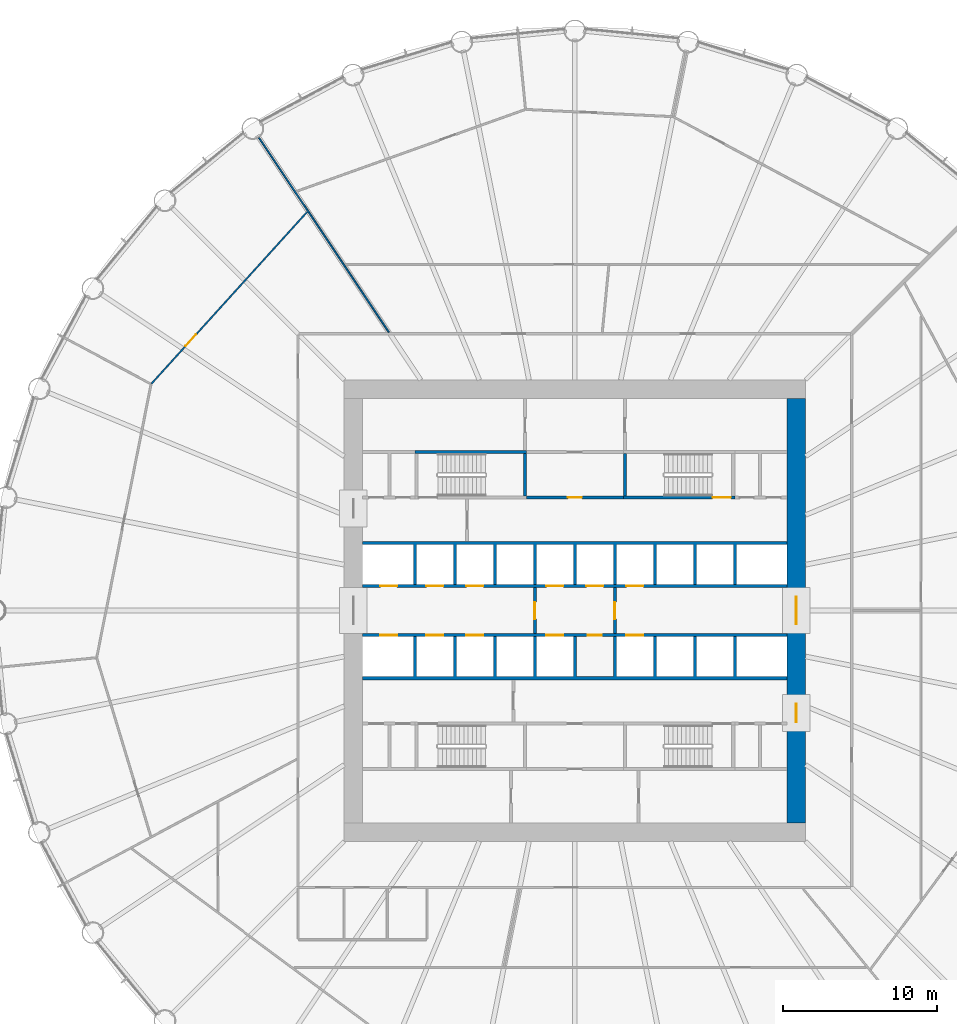
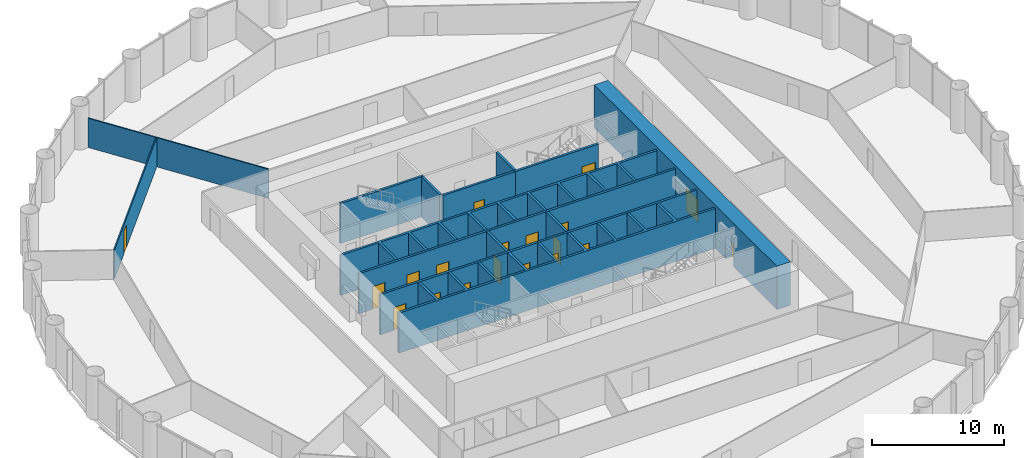
# One storey, part 12 of 15: 19 doors, 14 walls, 19 openings.
"""IFC4 building model written with IfcOpenShell, lengths in metres."""

from ifc_helpers import new_model, si_unit, direction, frame, frame_2d, origin, place, context, subcontext, project, spatial, polyline, rectangle, outline, extrude, material, layer, layer_set, type_object, element, fill, save


model = new_model("IFC4")

# Units and contexts
model_context = context("Model", 3, precision=1e-05, world=origin(), true_north=direction((0.0, 1.0)))
body_context = subcontext(model_context, "Body", "Model", "MODEL_VIEW")
ifc_project = project(units=[si_unit("LENGTHUNIT", "METRE"), si_unit("AREAUNIT", "SQUARE_METRE"), si_unit("VOLUMEUNIT", "CUBIC_METRE"), si_unit("PLANEANGLEUNIT", "RADIAN"), si_unit("MASSUNIT", "GRAM", prefix="KILO")], contexts=[model_context])

# Site, building, storey
site_placement = place(None, origin())
site = spatial("IfcSite", under=ifc_project, at=site_placement, CompositionType="ELEMENT")
building_placement = place(site_placement, origin())
building = spatial("IfcBuilding", under=site, at=building_placement, Name="Corvane Civic Tower", CompositionType="ELEMENT")
storey_placement = place(building_placement, frame((0.0, 0.0, 45.0)))
storey = spatial("IfcBuildingStorey", under=building, at=storey_placement, Name="L09", CompositionType="ELEMENT", Elevation=45.0)

# Wall, openings, doors
ifc_material_1 = material(Name="Concrete C80/95", Category="concrete")
ifc_layer_1 = layer(ifc_material_1, 1.199951171875)
ifc_layer_set_1 = layer_set([ifc_layer_1], Name="Concrete C80/95")
wall_type_1 = type_object("IfcWallType", Name="CORE WALL 1200 C80/95", PredefinedType="SHEAR", material=ifc_layer_set_1)
wall_1_placement = place(storey_placement, frame((14.39990234375, -13.800048828125, 0.0), z_axis=(0.0, 0.0, 1.0), x_axis=(0.0, 1.0, 0.0)))
wall_1 = element("IfcWall", 1, at=wall_1_placement, inside=storey, type_object=wall_type_1, Name="W-L09-core-E", PredefinedType="SHEAR", context=body_context, shape_type="SweptSolid", body=[
    extrude(rectangle(XDim=27.60009765625, YDim=1.199951171875, at=frame_2d((13.800048828125, 0.0))), origin(), (0.0, 0.0, 1.0), 4.0),
])
opening_1_placement = place(wall_1_placement, frame((12.89990234375, 0.0, 0.0)))
opening_1 = element("IfcOpeningElement", 2, at=opening_1_placement, cuts=wall_1, Name="Opening L09.C27", PredefinedType="OPENING", context=body_context, shape_type="SweptSolid", body=[
    extrude(rectangle(XDim=1.800048828125, YDim=2.10009765625, at=frame_2d((0.89990234375, 1.050048828125))), frame((0.0, 0.60986328125, 0.0), z_axis=(0.0, -1.0, 0.0), x_axis=(1.0, 0.0, 0.0)), (0.0, 0.0, 1.0), 1.219970703125),
])
opening_2_placement = place(wall_1_placement, frame((6.550048828125, 0.0, 0.0)))
opening_2 = element("IfcOpeningElement", 3, at=opening_2_placement, cuts=wall_1, Name="Opening L09.C29", PredefinedType="OPENING", context=body_context, shape_type="SweptSolid", body=[
    extrude(rectangle(XDim=1.199951171875, YDim=2.10009765625, at=frame_2d((0.60009765625, 1.050048828125))), frame((0.0, 0.60986328125, 0.0), z_axis=(0.0, -1.0, 0.0), x_axis=(1.0, 0.0, 0.0)), (0.0, 0.0, 1.0), 1.219970703125),
])
ifc_material_2 = material(Name="Steel fire door leaf", Category="steel")
door_type_1 = type_object("IfcDoorType", Name="CR-DOOR-CORE-1800", OperationType="DOUBLE_DOOR_SINGLE_SWING", PredefinedType="DOOR", material=ifc_material_2)
door_1_placement = place(opening_1_placement, origin())
door_1 = element("IfcDoor", 4, at=door_1_placement, inside=storey, type_object=door_type_1, Name="L09 door", OperationType="DOUBLE_DOOR_SINGLE_SWING", OverallHeight=2.10009765625, OverallWidth=1.800048828125, PredefinedType="DOOR", context=body_context, shape_type="SweptSolid", body=[
    extrude(rectangle(XDim=1.800048828125, YDim=2.10009765625, at=frame_2d((0.89990234375, 1.050048828125))), frame((0.0, 0.02490234375, 0.0), z_axis=(0.0, -1.0, 0.0), x_axis=(1.0, 0.0, 0.0)), (0.0, 0.0, 1.0), 0.050048828125),
])
fill(opening_1, door_1)
door_2_placement = place(opening_2_placement, origin())
door_2 = element("IfcDoor", 5, at=door_2_placement, inside=storey, type_object=door_type_1, Name="L09 door", OperationType="DOUBLE_DOOR_SINGLE_SWING", OverallHeight=2.10009765625, OverallWidth=1.199951171875, PredefinedType="DOOR", context=body_context, shape_type="SweptSolid", body=[
    extrude(rectangle(XDim=1.199951171875, YDim=2.10009765625, at=frame_2d((0.60009765625, 1.050048828125))), frame((0.0, 0.02490234375, 0.0), z_axis=(0.0, -1.0, 0.0), x_axis=(1.0, 0.0, 0.0)), (0.0, 0.0, 1.0), 0.050048828125),
])
fill(opening_2, door_2)

ifc_material_3 = material(Name="Concrete C30/37", Category="concrete")
ifc_layer_2 = layer(ifc_material_3, 0.199951171875)
ifc_layer_set_2 = layer_set([ifc_layer_2], Name="Concrete C30/37")
wall_type_2 = type_object("IfcWallType", Name="CR-WALL-200", PredefinedType="PARTITIONING", material=ifc_layer_set_2)
wall_2_placement = place(storey_placement, frame((-13.800048828125, -1.60009765625, 0.0), z_axis=(0.0, 0.0, 1.0), x_axis=(1.0, 0.0, 0.0)))
wall_2 = element("IfcWall", 6, at=wall_2_placement, inside=storey, type_object=wall_type_2, Name="L09 lift shaft wall", PredefinedType="PARTITIONING", context=body_context, shape_type="SweptSolid", body=[
    extrude(rectangle(XDim=27.60009765625, YDim=0.199951171875, at=frame_2d((13.800048828125, 0.0))), origin(), (0.0, 0.0, 1.0), 3.699951171875),
])
opening_3_placement = place(wall_2_placement, frame((1.14990234375, 0.0, 0.0)))
opening_3 = element("IfcOpeningElement", 7, at=opening_3_placement, cuts=wall_2, Name="Opening LD", PredefinedType="OPENING", context=body_context, shape_type="SweptSolid", body=[
    extrude(rectangle(XDim=1.10009765625, YDim=2.10009765625, at=frame_2d((0.550048828125, 1.050048828125))), frame((0.0, 0.10986328125, 0.0), z_axis=(0.0, -1.0, 0.0), x_axis=(1.0, 0.0, 0.0)), (0.0, 0.0, 1.0), 0.219970703125),
])
opening_4_placement = place(wall_2_placement, frame((4.14990234375, 0.0, 0.0)))
opening_4 = element("IfcOpeningElement", 8, at=opening_4_placement, cuts=wall_2, Name="Opening LD", PredefinedType="OPENING", context=body_context, shape_type="SweptSolid", body=[
    extrude(rectangle(XDim=1.10009765625, YDim=2.10009765625, at=frame_2d((0.550048828125, 1.050048828125))), frame((0.0, 0.10986328125, 0.0), z_axis=(0.0, -1.0, 0.0), x_axis=(1.0, 0.0, 0.0)), (0.0, 0.0, 1.0), 0.219970703125),
])
opening_5_placement = place(wall_2_placement, frame((6.75, 0.0, 0.0)))
opening_5 = element("IfcOpeningElement", 9, at=opening_5_placement, cuts=wall_2, Name="Opening LD", PredefinedType="OPENING", context=body_context, shape_type="SweptSolid", body=[
    extrude(rectangle(XDim=1.10009765625, YDim=2.10009765625, at=frame_2d((0.550048828125, 1.050048828125))), frame((0.0, 0.10986328125, 0.0), z_axis=(0.0, -1.0, 0.0), x_axis=(1.0, 0.0, 0.0)), (0.0, 0.0, 1.0), 0.219970703125),
])
opening_6_placement = place(wall_2_placement, frame((11.949951171875, 0.0, 0.0)))
opening_6 = element("IfcOpeningElement", 10, at=opening_6_placement, cuts=wall_2, Name="Opening LD", PredefinedType="OPENING", context=body_context, shape_type="SweptSolid", body=[
    extrude(rectangle(XDim=1.10009765625, YDim=2.10009765625, at=frame_2d((0.550048828125, 1.050048828125))), frame((0.0, 0.10986328125, 0.0), z_axis=(0.0, -1.0, 0.0), x_axis=(1.0, 0.0, 0.0)), (0.0, 0.0, 1.0), 0.219970703125),
])
opening_7_placement = place(wall_2_placement, frame((14.64990234375, 0.0, 0.0)))
opening_7 = element("IfcOpeningElement", 11, at=opening_7_placement, cuts=wall_2, Name="Opening L09.C01", PredefinedType="OPENING", context=body_context, shape_type="SweptSolid", body=[
    extrude(rectangle(XDim=0.89990234375, YDim=2.10009765625, at=frame_2d((0.449951171875, 1.050048828125))), frame((0.0, 0.10986328125, 0.0), z_axis=(0.0, -1.0, 0.0), x_axis=(1.0, 0.0, 0.0)), (0.0, 0.0, 1.0), 0.219970703125),
])
opening_8_placement = place(wall_2_placement, frame((17.14990234375, 0.0, 0.0)))
opening_8 = element("IfcOpeningElement", 12, at=opening_8_placement, cuts=wall_2, Name="Opening LD", PredefinedType="OPENING", context=body_context, shape_type="SweptSolid", body=[
    extrude(rectangle(XDim=1.10009765625, YDim=2.10009765625, at=frame_2d((0.550048828125, 1.050048828125))), frame((0.0, 0.10986328125, 0.0), z_axis=(0.0, -1.0, 0.0), x_axis=(1.0, 0.0, 0.0)), (0.0, 0.0, 1.0), 0.219970703125),
])
ifc_material_4 = material(Name="Steel fire door leaf", Category="steel")
door_type_2 = type_object("IfcDoorType", Name="CR-DOOR-900", OperationType="SINGLE_SWING_LEFT", PredefinedType="DOOR", material=ifc_material_4)
door_3_placement = place(opening_7_placement, origin())
door_3 = element("IfcDoor", 13, at=door_3_placement, inside=storey, type_object=door_type_2, Name="L09 door", OperationType="SINGLE_SWING_LEFT", OverallHeight=2.10009765625, OverallWidth=0.89990234375, PredefinedType="DOOR", context=body_context, shape_type="SweptSolid", body=[
    extrude(rectangle(XDim=0.89990234375, YDim=2.10009765625, at=frame_2d((0.449951171875, 1.050048828125))), frame((0.0, 0.02490234375, 0.0), z_axis=(0.0, -1.0, 0.0), x_axis=(1.0, 0.0, 0.0)), (0.0, 0.0, 1.0), 0.050048828125),
])
fill(opening_7, door_3)
ifc_material_5 = material(Name="Stainless steel 316 door leaves", Category="steel")
door_type_3 = type_object("IfcDoorType", Name="LD", OperationType="DOUBLE_DOOR_SLIDING", PredefinedType="DOOR", material=ifc_material_5)
door_4_placement = place(opening_3_placement, origin())
door_4 = element("IfcDoor", 14, at=door_4_placement, inside=storey, type_object=door_type_3, Name="L09 landing door", OperationType="DOUBLE_DOOR_SLIDING", OverallHeight=2.10009765625, OverallWidth=1.10009765625, PredefinedType="DOOR", context=body_context, shape_type="SweptSolid", body=[
    extrude(rectangle(XDim=1.10009765625, YDim=2.10009765625, at=frame_2d((0.550048828125, 1.050048828125))), frame((0.0, 0.02490234375, 0.0), z_axis=(0.0, -1.0, 0.0), x_axis=(1.0, 0.0, 0.0)), (0.0, 0.0, 1.0), 0.050048828125),
])
fill(opening_3, door_4)
door_5_placement = place(opening_4_placement, origin())
door_5 = element("IfcDoor", 15, at=door_5_placement, inside=storey, type_object=door_type_3, Name="L09 landing door", OperationType="DOUBLE_DOOR_SLIDING", OverallHeight=2.10009765625, OverallWidth=1.10009765625, PredefinedType="DOOR", context=body_context, shape_type="SweptSolid", body=[
    extrude(rectangle(XDim=1.10009765625, YDim=2.10009765625, at=frame_2d((0.550048828125, 1.050048828125))), frame((0.0, 0.02490234375, 0.0), z_axis=(0.0, -1.0, 0.0), x_axis=(1.0, 0.0, 0.0)), (0.0, 0.0, 1.0), 0.050048828125),
])
fill(opening_4, door_5)
door_6_placement = place(opening_5_placement, origin())
door_6 = element("IfcDoor", 16, at=door_6_placement, inside=storey, type_object=door_type_3, Name="L09 landing door", OperationType="DOUBLE_DOOR_SLIDING", OverallHeight=2.10009765625, OverallWidth=1.10009765625, PredefinedType="DOOR", context=body_context, shape_type="SweptSolid", body=[
    extrude(rectangle(XDim=1.10009765625, YDim=2.10009765625, at=frame_2d((0.550048828125, 1.050048828125))), frame((0.0, 0.02490234375, 0.0), z_axis=(0.0, -1.0, 0.0), x_axis=(1.0, 0.0, 0.0)), (0.0, 0.0, 1.0), 0.050048828125),
])
fill(opening_5, door_6)
door_7_placement = place(opening_6_placement, origin())
door_7 = element("IfcDoor", 17, at=door_7_placement, inside=storey, type_object=door_type_3, Name="L09 landing door", OperationType="DOUBLE_DOOR_SLIDING", OverallHeight=2.10009765625, OverallWidth=1.10009765625, PredefinedType="DOOR", context=body_context, shape_type="SweptSolid", body=[
    extrude(rectangle(XDim=1.10009765625, YDim=2.10009765625, at=frame_2d((0.550048828125, 1.050048828125))), frame((0.0, 0.02490234375, 0.0), z_axis=(0.0, -1.0, 0.0), x_axis=(1.0, 0.0, 0.0)), (0.0, 0.0, 1.0), 0.050048828125),
])
fill(opening_6, door_7)
door_8_placement = place(opening_8_placement, origin())
door_8 = element("IfcDoor", 18, at=door_8_placement, inside=storey, type_object=door_type_3, Name="L09 landing door", OperationType="DOUBLE_DOOR_SLIDING", OverallHeight=2.10009765625, OverallWidth=1.10009765625, PredefinedType="DOOR", context=body_context, shape_type="SweptSolid", body=[
    extrude(rectangle(XDim=1.10009765625, YDim=2.10009765625, at=frame_2d((0.550048828125, 1.050048828125))), frame((0.0, 0.02490234375, 0.0), z_axis=(0.0, -1.0, 0.0), x_axis=(1.0, 0.0, 0.0)), (0.0, 0.0, 1.0), 0.050048828125),
])
fill(opening_8, door_8)

wall_3_placement = place(storey_placement, frame((-13.800048828125, 1.60009765625, 0.0), z_axis=(0.0, 0.0, 1.0), x_axis=(1.0, 0.0, 0.0)))
wall_3 = element("IfcWall", 19, at=wall_3_placement, inside=storey, type_object=wall_type_2, Name="L09 lift shaft wall", PredefinedType="PARTITIONING", context=body_context, shape_type="SweptSolid", body=[
    extrude(rectangle(XDim=27.60009765625, YDim=0.199951171875, at=frame_2d((13.800048828125, 0.0))), origin(), (0.0, 0.0, 1.0), 3.699951171875),
])
opening_9_placement = place(wall_3_placement, frame((1.14990234375, 0.0, 0.0)))
opening_9 = element("IfcOpeningElement", 20, at=opening_9_placement, cuts=wall_3, Name="Opening LD", PredefinedType="OPENING", context=body_context, shape_type="SweptSolid", body=[
    extrude(rectangle(XDim=1.10009765625, YDim=2.10009765625, at=frame_2d((0.550048828125, 1.050048828125))), frame((0.0, 0.10986328125, 0.0), z_axis=(0.0, -1.0, 0.0), x_axis=(1.0, 0.0, 0.0)), (0.0, 0.0, 1.0), 0.219970703125),
])
opening_10_placement = place(wall_3_placement, frame((4.14990234375, 0.0, 0.0)))
opening_10 = element("IfcOpeningElement", 21, at=opening_10_placement, cuts=wall_3, Name="Opening LD", PredefinedType="OPENING", context=body_context, shape_type="SweptSolid", body=[
    extrude(rectangle(XDim=1.10009765625, YDim=2.10009765625, at=frame_2d((0.550048828125, 1.050048828125))), frame((0.0, 0.10986328125, 0.0), z_axis=(0.0, -1.0, 0.0), x_axis=(1.0, 0.0, 0.0)), (0.0, 0.0, 1.0), 0.219970703125),
])
opening_11_placement = place(wall_3_placement, frame((6.75, 0.0, 0.0)))
opening_11 = element("IfcOpeningElement", 22, at=opening_11_placement, cuts=wall_3, Name="Opening LD", PredefinedType="OPENING", context=body_context, shape_type="SweptSolid", body=[
    extrude(rectangle(XDim=1.10009765625, YDim=2.10009765625, at=frame_2d((0.550048828125, 1.050048828125))), frame((0.0, 0.10986328125, 0.0), z_axis=(0.0, -1.0, 0.0), x_axis=(1.0, 0.0, 0.0)), (0.0, 0.0, 1.0), 0.219970703125),
])
opening_12_placement = place(wall_3_placement, frame((11.949951171875, 0.0, 0.0)))
opening_12 = element("IfcOpeningElement", 23, at=opening_12_placement, cuts=wall_3, Name="Opening LD", PredefinedType="OPENING", context=body_context, shape_type="SweptSolid", body=[
    extrude(rectangle(XDim=1.10009765625, YDim=2.10009765625, at=frame_2d((0.550048828125, 1.050048828125))), frame((0.0, 0.10986328125, 0.0), z_axis=(0.0, -1.0, 0.0), x_axis=(1.0, 0.0, 0.0)), (0.0, 0.0, 1.0), 0.219970703125),
])
opening_13_placement = place(wall_3_placement, frame((14.550048828125, 0.0, 0.0)))
opening_13 = element("IfcOpeningElement", 24, at=opening_13_placement, cuts=wall_3, Name="Opening LD", PredefinedType="OPENING", context=body_context, shape_type="SweptSolid", body=[
    extrude(rectangle(XDim=1.10009765625, YDim=2.10009765625, at=frame_2d((0.550048828125, 1.050048828125))), frame((0.0, 0.10986328125, 0.0), z_axis=(0.0, -1.0, 0.0), x_axis=(1.0, 0.0, 0.0)), (0.0, 0.0, 1.0), 0.219970703125),
])
opening_14_placement = place(wall_3_placement, frame((17.14990234375, 0.0, 0.0)))
opening_14 = element("IfcOpeningElement", 25, at=opening_14_placement, cuts=wall_3, Name="Opening LD", PredefinedType="OPENING", context=body_context, shape_type="SweptSolid", body=[
    extrude(rectangle(XDim=1.10009765625, YDim=2.10009765625, at=frame_2d((0.550048828125, 1.050048828125))), frame((0.0, 0.10986328125, 0.0), z_axis=(0.0, -1.0, 0.0), x_axis=(1.0, 0.0, 0.0)), (0.0, 0.0, 1.0), 0.219970703125),
])
door_9_placement = place(opening_9_placement, origin())
door_9 = element("IfcDoor", 26, at=door_9_placement, inside=storey, type_object=door_type_3, Name="L09 landing door", OperationType="DOUBLE_DOOR_SLIDING", OverallHeight=2.10009765625, OverallWidth=1.10009765625, PredefinedType="DOOR", context=body_context, shape_type="SweptSolid", body=[
    extrude(rectangle(XDim=1.10009765625, YDim=2.10009765625, at=frame_2d((0.550048828125, 1.050048828125))), frame((0.0, 0.02490234375, 0.0), z_axis=(0.0, -1.0, 0.0), x_axis=(1.0, 0.0, 0.0)), (0.0, 0.0, 1.0), 0.050048828125),
])
fill(opening_9, door_9)
door_10_placement = place(opening_10_placement, origin())
door_10 = element("IfcDoor", 27, at=door_10_placement, inside=storey, type_object=door_type_3, Name="L09 landing door", OperationType="DOUBLE_DOOR_SLIDING", OverallHeight=2.10009765625, OverallWidth=1.10009765625, PredefinedType="DOOR", context=body_context, shape_type="SweptSolid", body=[
    extrude(rectangle(XDim=1.10009765625, YDim=2.10009765625, at=frame_2d((0.550048828125, 1.050048828125))), frame((0.0, 0.02490234375, 0.0), z_axis=(0.0, -1.0, 0.0), x_axis=(1.0, 0.0, 0.0)), (0.0, 0.0, 1.0), 0.050048828125),
])
fill(opening_10, door_10)
door_11_placement = place(opening_11_placement, origin())
door_11 = element("IfcDoor", 28, at=door_11_placement, inside=storey, type_object=door_type_3, Name="L09 landing door", OperationType="DOUBLE_DOOR_SLIDING", OverallHeight=2.10009765625, OverallWidth=1.10009765625, PredefinedType="DOOR", context=body_context, shape_type="SweptSolid", body=[
    extrude(rectangle(XDim=1.10009765625, YDim=2.10009765625, at=frame_2d((0.550048828125, 1.050048828125))), frame((0.0, 0.02490234375, 0.0), z_axis=(0.0, -1.0, 0.0), x_axis=(1.0, 0.0, 0.0)), (0.0, 0.0, 1.0), 0.050048828125),
])
fill(opening_11, door_11)
door_12_placement = place(opening_12_placement, origin())
door_12 = element("IfcDoor", 29, at=door_12_placement, inside=storey, type_object=door_type_3, Name="L09 landing door", OperationType="DOUBLE_DOOR_SLIDING", OverallHeight=2.10009765625, OverallWidth=1.10009765625, PredefinedType="DOOR", context=body_context, shape_type="SweptSolid", body=[
    extrude(rectangle(XDim=1.10009765625, YDim=2.10009765625, at=frame_2d((0.550048828125, 1.050048828125))), frame((0.0, 0.02490234375, 0.0), z_axis=(0.0, -1.0, 0.0), x_axis=(1.0, 0.0, 0.0)), (0.0, 0.0, 1.0), 0.050048828125),
])
fill(opening_12, door_12)
door_13_placement = place(opening_13_placement, origin())
door_13 = element("IfcDoor", 30, at=door_13_placement, inside=storey, type_object=door_type_3, Name="L09 landing door", OperationType="DOUBLE_DOOR_SLIDING", OverallHeight=2.10009765625, OverallWidth=1.10009765625, PredefinedType="DOOR", context=body_context, shape_type="SweptSolid", body=[
    extrude(rectangle(XDim=1.10009765625, YDim=2.10009765625, at=frame_2d((0.550048828125, 1.050048828125))), frame((0.0, 0.02490234375, 0.0), z_axis=(0.0, -1.0, 0.0), x_axis=(1.0, 0.0, 0.0)), (0.0, 0.0, 1.0), 0.050048828125),
])
fill(opening_13, door_13)
door_14_placement = place(opening_14_placement, origin())
door_14 = element("IfcDoor", 31, at=door_14_placement, inside=storey, type_object=door_type_3, Name="L09 landing door", OperationType="DOUBLE_DOOR_SLIDING", OverallHeight=2.10009765625, OverallWidth=1.10009765625, PredefinedType="DOOR", context=body_context, shape_type="SweptSolid", body=[
    extrude(rectangle(XDim=1.10009765625, YDim=2.10009765625, at=frame_2d((0.550048828125, 1.050048828125))), frame((0.0, 0.02490234375, 0.0), z_axis=(0.0, -1.0, 0.0), x_axis=(1.0, 0.0, 0.0)), (0.0, 0.0, 1.0), 0.050048828125),
])
fill(opening_14, door_14)

# Wall, opening, door
wall_4_placement = place(storey_placement, frame((-3.14990234375, 7.35009765625, 0.0), z_axis=(0.0, 0.0, 1.0), x_axis=(1.0, 0.0, 0.0)))
wall_4 = element("IfcWall", 32, at=wall_4_placement, inside=storey, type_object=wall_type_2, Name="L09 core partition wall", PredefinedType="PARTITIONING", context=body_context, shape_type="SweptSolid", body=[
    extrude(rectangle(XDim=6.2998046875, YDim=0.199951171875, at=frame_2d((3.14990234375, 0.0))), origin(), (0.0, 0.0, 1.0), 3.699951171875),
])
opening_15_placement = place(wall_4_placement, frame((2.699951171875, 0.0, 0.0)))
opening_15 = element("IfcOpeningElement", 33, at=opening_15_placement, cuts=wall_4, Name="Opening L09.C02", PredefinedType="OPENING", context=body_context, shape_type="SweptSolid", body=[
    extrude(rectangle(XDim=0.89990234375, YDim=2.10009765625, at=frame_2d((0.449951171875, 1.050048828125))), frame((0.0, 0.10986328125, 0.0), z_axis=(0.0, -1.0, 0.0), x_axis=(1.0, 0.0, 0.0)), (0.0, 0.0, 1.0), 0.219970703125),
])
door_15_placement = place(opening_15_placement, origin())
door_15 = element("IfcDoor", 34, at=door_15_placement, inside=storey, type_object=door_type_2, Name="L09 door", OperationType="SINGLE_SWING_LEFT", OverallHeight=2.10009765625, OverallWidth=0.89990234375, PredefinedType="DOOR", context=body_context, shape_type="SweptSolid", body=[
    extrude(rectangle(XDim=0.89990234375, YDim=2.10009765625, at=frame_2d((0.449951171875, 1.050048828125))), frame((0.0, 0.02490234375, 0.0), z_axis=(0.0, -1.0, 0.0), x_axis=(1.0, 0.0, 0.0)), (0.0, 0.0, 1.0), 0.050048828125),
])
fill(opening_15, door_15)

wall_5_placement = place(storey_placement, frame((-2.60009765625, -1.5, 0.0), z_axis=(0.0, 0.0, 1.0), x_axis=(0.0, 1.0, 0.0)))
wall_5 = element("IfcWall", 35, at=wall_5_placement, inside=storey, type_object=wall_type_2, Name="L09 firefighting lobby wall", PredefinedType="PARTITIONING", context=body_context, shape_type="SweptSolid", body=[
    extrude(rectangle(XDim=3.0, YDim=0.199951171875, at=frame_2d((1.5, 0.0))), origin(), (0.0, 0.0, 1.0), 3.699951171875),
])
opening_16_placement = place(wall_5_placement, frame((0.949951171875, 0.0, 0.0)))
opening_16 = element("IfcOpeningElement", 36, at=opening_16_placement, cuts=wall_5, Name="Opening L09.C22", PredefinedType="OPENING", context=body_context, shape_type="SweptSolid", body=[
    extrude(rectangle(XDim=1.10009765625, YDim=2.10009765625, at=frame_2d((0.550048828125, 1.050048828125))), frame((0.0, 0.10986328125, 0.0), z_axis=(0.0, -1.0, 0.0), x_axis=(1.0, 0.0, 0.0)), (0.0, 0.0, 1.0), 0.219970703125),
])
ifc_material_6 = material(Name="Steel fire door leaf", Category="steel")
door_type_4 = type_object("IfcDoorType", Name="CR-DOOR-FFL-1100", OperationType="SINGLE_SWING_LEFT", PredefinedType="DOOR", material=ifc_material_6)
door_16_placement = place(opening_16_placement, origin())
door_16 = element("IfcDoor", 37, at=door_16_placement, inside=storey, type_object=door_type_4, Name="L09 lobby door", OperationType="SINGLE_SWING_LEFT", OverallHeight=2.10009765625, OverallWidth=1.10009765625, PredefinedType="DOOR", context=body_context, shape_type="SweptSolid", body=[
    extrude(rectangle(XDim=1.10009765625, YDim=2.10009765625, at=frame_2d((0.550048828125, 1.050048828125))), frame((0.0, 0.02490234375, 0.0), z_axis=(0.0, -1.0, 0.0), x_axis=(1.0, 0.0, 0.0)), (0.0, 0.0, 1.0), 0.050048828125),
])
fill(opening_16, door_16)

wall_6_placement = place(storey_placement, frame((2.60009765625, -1.5, 0.0), z_axis=(0.0, 0.0, 1.0), x_axis=(0.0, 1.0, 0.0)))
wall_6 = element("IfcWall", 38, at=wall_6_placement, inside=storey, type_object=wall_type_2, Name="L09 firefighting lobby wall", PredefinedType="PARTITIONING", context=body_context, shape_type="SweptSolid", body=[
    extrude(rectangle(XDim=3.0, YDim=0.199951171875, at=frame_2d((1.5, 0.0))), origin(), (0.0, 0.0, 1.0), 3.699951171875),
])
opening_17_placement = place(wall_6_placement, frame((0.949951171875, 0.0, 0.0)))
opening_17 = element("IfcOpeningElement", 39, at=opening_17_placement, cuts=wall_6, Name="Opening L09.C23", PredefinedType="OPENING", context=body_context, shape_type="SweptSolid", body=[
    extrude(rectangle(XDim=1.10009765625, YDim=2.10009765625, at=frame_2d((0.550048828125, 1.050048828125))), frame((0.0, 0.10986328125, 0.0), z_axis=(0.0, -1.0, 0.0), x_axis=(1.0, 0.0, 0.0)), (0.0, 0.0, 1.0), 0.219970703125),
])
door_17_placement = place(opening_17_placement, origin())
door_17 = element("IfcDoor", 40, at=door_17_placement, inside=storey, type_object=door_type_4, Name="L09 lobby door", OperationType="SINGLE_SWING_LEFT", OverallHeight=2.10009765625, OverallWidth=1.10009765625, PredefinedType="DOOR", context=body_context, shape_type="SweptSolid", body=[
    extrude(rectangle(XDim=1.10009765625, YDim=2.10009765625, at=frame_2d((0.550048828125, 1.050048828125))), frame((0.0, 0.02490234375, 0.0), z_axis=(0.0, -1.0, 0.0), x_axis=(1.0, 0.0, 0.0)), (0.0, 0.0, 1.0), 0.050048828125),
])
fill(opening_17, door_17)

# Walls
wall_7_placement = place(storey_placement, origin())
element("IfcWall", 41, at=wall_7_placement, inside=storey, type_object=wall_type_2, Name="L09 core partition wall", PredefinedType="PARTITIONING", context=body_context, shape_type="SweptSolid", body=[
    extrude(outline(polyline([(-10.300048828125, -1.699951171875), (-10.300048828125, -4.300048828125), (-7.89990234375, -4.300048828125), (-7.89990234375, -1.699951171875), (-7.699951171875, -1.699951171875), (-7.699951171875, -4.300048828125), (-5.300048828125, -4.300048828125), (-5.300048828125, -1.699951171875), (-5.10009765625, -1.699951171875), (-5.10009765625, -4.300048828125), (-2.699951171875, -4.300048828125), (-2.699951171875, -1.699951171875), (-2.5, -1.699951171875), (-2.5, -4.300048828125), (-0.10009765625, -4.300048828125), (-0.10009765625, -1.699951171875), (0.10009765625, -1.699951171875), (0.10009765625, -4.300048828125), (2.5, -4.300048828125), (2.5, -1.699951171875), (2.699951171875, -1.699951171875), (2.699951171875, -4.300048828125), (5.10009765625, -4.300048828125), (5.10009765625, -1.699951171875), (5.300048828125, -1.699951171875), (5.300048828125, -4.300048828125), (7.699951171875, -4.300048828125), (7.699951171875, -1.699951171875), (7.89990234375, -1.699951171875), (7.89990234375, -4.300048828125), (10.300048828125, -4.300048828125), (10.300048828125, -1.699951171875), (10.5, -1.699951171875), (10.5, -4.300048828125), (13.800048828125, -4.300048828125), (13.800048828125, -4.5), (-13.800048828125, -4.5), (-13.800048828125, -4.300048828125), (-10.5, -4.300048828125), (-10.5, -1.699951171875), (-10.300048828125, -1.699951171875)])), origin(), (0.0, 0.0, 1.0), 3.699951171875),
])
wall_8_placement = place(storey_placement, origin())
element("IfcWall", 42, at=wall_8_placement, inside=storey, type_object=wall_type_2, Name="L09 core partition wall", PredefinedType="PARTITIONING", context=body_context, shape_type="SweptSolid", body=[
    extrude(outline(polyline([(-10.300048828125, 1.699951171875), (-10.5, 1.699951171875), (-10.5, 4.300048828125), (-13.800048828125, 4.300048828125), (-13.800048828125, 4.5), (13.800048828125, 4.5), (13.800048828125, 4.300048828125), (10.5, 4.300048828125), (10.5, 1.699951171875), (10.300048828125, 1.699951171875), (10.300048828125, 4.300048828125), (7.89990234375, 4.300048828125), (7.89990234375, 1.699951171875), (7.699951171875, 1.699951171875), (7.699951171875, 4.300048828125), (5.300048828125, 4.300048828125), (5.300048828125, 1.699951171875), (5.10009765625, 1.699951171875), (5.10009765625, 4.300048828125), (2.699951171875, 4.300048828125), (2.699951171875, 1.699951171875), (2.5, 1.699951171875), (2.5, 4.300048828125), (0.10009765625, 4.300048828125), (0.10009765625, 1.699951171875), (-0.10009765625, 1.699951171875), (-0.10009765625, 4.300048828125), (-2.5, 4.300048828125), (-2.5, 1.699951171875), (-2.699951171875, 1.699951171875), (-2.699951171875, 4.300048828125), (-5.10009765625, 4.300048828125), (-5.10009765625, 1.699951171875), (-5.300048828125, 1.699951171875), (-5.300048828125, 4.300048828125), (-7.699951171875, 4.300048828125), (-7.699951171875, 1.699951171875), (-7.89990234375, 1.699951171875), (-7.89990234375, 4.300048828125), (-10.300048828125, 4.300048828125), (-10.300048828125, 1.699951171875)])), origin(), (0.0, 0.0, 1.0), 3.699951171875),
])

# Wall, opening, door
ifc_material_7 = material(Name="Plasterboard")
ifc_layer_3 = layer(ifc_material_7, 0.10009765625)
ifc_layer_set_3 = layer_set([ifc_layer_3], Name="Plasterboard")
wall_type_3 = type_object("IfcWallType", Name="Partition 100 plasterboard on studs", PredefinedType="PARTITIONING", material=ifc_layer_set_3)
wall_9_placement = place(storey_placement, frame((-27.52685546875, 14.75634765625, 0.0), z_axis=(0.0, 0.0, 1.0), x_axis=(0.671559148707, 0.740950949651, 0.0)))
wall_9 = element("IfcWall", 43, at=wall_9_placement, inside=storey, type_object=wall_type_3, Name="Partition L09.028", PredefinedType="PARTITIONING", context=body_context, shape_type="SweptSolid", body=[
    extrude(rectangle(XDim=15.079345703125, YDim=0.10009765625, at=frame_2d((7.53955078125, 0.0))), origin(), (0.0, 0.0, 1.0), 2.699951171875),
])
opening_18_placement = place(wall_9_placement, frame((3.303466796875, 0.0, 0.0)))
opening_18 = element("IfcOpeningElement", 44, at=opening_18_placement, cuts=wall_9, Name="Opening L09.018", PredefinedType="OPENING", context=body_context, shape_type="SweptSolid", body=[
    extrude(rectangle(XDim=1.0, YDim=2.10009765625, at=frame_2d((0.5, 1.050048828125))), frame((0.0, 0.06005859375, 0.0), z_axis=(0.0, -1.0, 0.0), x_axis=(1.0, 0.0, 0.0)), (0.0, 0.0, 1.0), 0.1201171875),
])
ifc_material_8 = material(Name="Timber", Category="wood")
door_type_5 = type_object("IfcDoorType", Name="Single door 1000", OperationType="NOTDEFINED", PredefinedType="DOOR", material=ifc_material_8)
door_18_placement = place(opening_18_placement, origin())
door_18 = element("IfcDoor", 45, at=door_18_placement, inside=storey, type_object=door_type_5, Name="Door L09.018", OperationType="SINGLE_SWING_LEFT", OverallHeight=2.10009765625, OverallWidth=1.0, PredefinedType="DOOR", context=body_context, shape_type="SweptSolid", body=[
    extrude(rectangle(XDim=1.0, YDim=2.10009765625, at=frame_2d((0.5, 1.050048828125))), frame((0.0, 0.02490234375, 0.0), z_axis=(0.0, -1.0, 0.0), x_axis=(1.0, 0.0, 0.0)), (0.0, 0.0, 1.0), 0.050048828125),
])
fill(opening_18, door_18)

# Wall
wall_10_placement = place(storey_placement, frame((-20.550537109375, 30.756103515625, 0.0), z_axis=(0.0, 0.0, 1.0), x_axis=(0.555566213074, -0.83147229833, 0.0)))
element("IfcWall", 46, at=wall_10_placement, inside=storey, type_object=wall_type_3, Name="Partition L09.032", PredefinedType="PARTITIONING", context=body_context, shape_type="SweptSolid", body=[
    extrude(rectangle(XDim=15.218017578125, YDim=0.10009765625, at=frame_2d((7.60888671875, 0.0))), origin(), (0.0, 0.0, 1.0), 2.699951171875),
])

# Wall, opening, door
ifc_material_9 = material(Name="Concrete C50/60", Category="concrete")
ifc_layer_4 = layer(ifc_material_9, 0.199951171875)
ifc_layer_set_4 = layer_set([ifc_layer_4], Name="Concrete C50/60")
wall_type_4 = type_object("IfcWallType", Name="ST-WALL-200", PredefinedType="SHEAR", material=ifc_layer_set_4)
wall_11_placement = place(storey_placement, frame((3.14990234375, 7.35009765625, 0.0), z_axis=(0.0, 0.0, 1.0), x_axis=(1.0, 0.0, 0.0)))
wall_11 = element("IfcWall", 47, at=wall_11_placement, inside=storey, type_object=wall_type_4, Name="L09 stair enclosure wall", PredefinedType="SHEAR", context=body_context, shape_type="SweptSolid", body=[
    extrude(rectangle(XDim=7.25, YDim=0.199951171875, at=frame_2d((3.625, 0.0))), origin(), (0.0, 0.0, 1.0), 3.699951171875),
])
opening_19_placement = place(wall_11_placement, frame((5.800048828125, 0.0, 0.0)))
opening_19 = element("IfcOpeningElement", 48, at=opening_19_placement, cuts=wall_11, Name="Opening L09.C18", PredefinedType="OPENING", context=body_context, shape_type="SweptSolid", body=[
    extrude(rectangle(XDim=1.199951171875, YDim=2.10009765625, at=frame_2d((0.60009765625, 1.050048828125))), frame((0.0, 0.10986328125, 0.0), z_axis=(0.0, -1.0, 0.0), x_axis=(1.0, 0.0, 0.0)), (0.0, 0.0, 1.0), 0.219970703125),
])
ifc_material_10 = material(Name="Steel fire door leaf", Category="steel")
door_type_6 = type_object("IfcDoorType", Name="ST-DOOR-1200", OperationType="SINGLE_SWING_RIGHT", PredefinedType="DOOR", material=ifc_material_10)
door_19_placement = place(opening_19_placement, origin())
door_19 = element("IfcDoor", 49, at=door_19_placement, inside=storey, type_object=door_type_6, Name="L09 stair door", OperationType="SINGLE_SWING_RIGHT", OverallHeight=2.10009765625, OverallWidth=1.199951171875, PredefinedType="DOOR", context=body_context, shape_type="SweptSolid", body=[
    extrude(rectangle(XDim=1.199951171875, YDim=2.10009765625, at=frame_2d((0.60009765625, 1.050048828125))), frame((0.0, 0.02490234375, 0.0), z_axis=(0.0, -1.0, 0.0), x_axis=(1.0, 0.0, 0.0)), (0.0, 0.0, 1.0), 0.050048828125),
])
fill(opening_19, door_19)

# Walls
wall_12_placement = place(storey_placement, origin())
element("IfcWall", 50, at=wall_12_placement, inside=storey, type_object=wall_type_4, Name="L09 stair enclosure wall", PredefinedType="SHEAR", context=body_context, shape_type="SweptSolid", body=[
    extrude(outline(polyline([(-3.14990234375, 10.199951171875), (-10.39990234375, 10.199951171875), (-10.39990234375, 10.39990234375), (-3.14990234375, 10.39990234375), (-3.14990234375, 10.199951171875)])), origin(), (0.0, 0.0, 1.0), 3.699951171875),
])
wall_13_placement = place(storey_placement, origin())
element("IfcWall", 51, at=wall_13_placement, inside=storey, type_object=wall_type_4, Name="L09 stair enclosure wall", PredefinedType="SHEAR", context=body_context, shape_type="SweptSolid", body=[
    extrude(outline(polyline([(-3.14990234375, 7.449951171875), (-3.35009765625, 7.449951171875), (-3.35009765625, 10.199951171875), (-3.14990234375, 10.199951171875), (-3.14990234375, 7.449951171875)])), origin(), (0.0, 0.0, 1.0), 3.699951171875),
])
wall_14_placement = place(storey_placement, origin())
element("IfcWall", 52, at=wall_14_placement, inside=storey, type_object=wall_type_4, Name="L09 stair enclosure wall", PredefinedType="SHEAR", context=body_context, shape_type="SweptSolid", body=[
    extrude(outline(polyline([(3.35009765625, 7.449951171875), (3.14990234375, 7.449951171875), (3.14990234375, 10.199951171875), (3.35009765625, 10.199951171875), (3.35009765625, 7.449951171875)])), origin(), (0.0, 0.0, 1.0), 3.699951171875),
])

save(model, "model.ifc")
